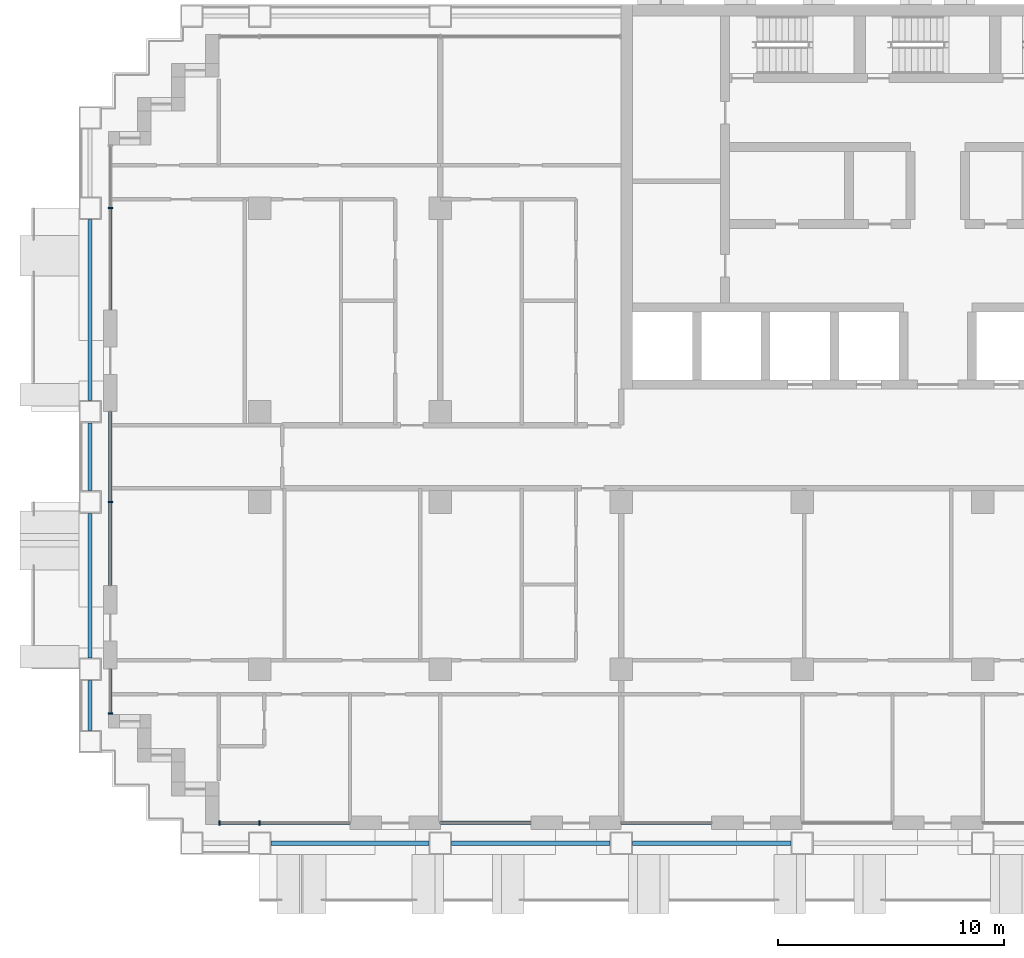
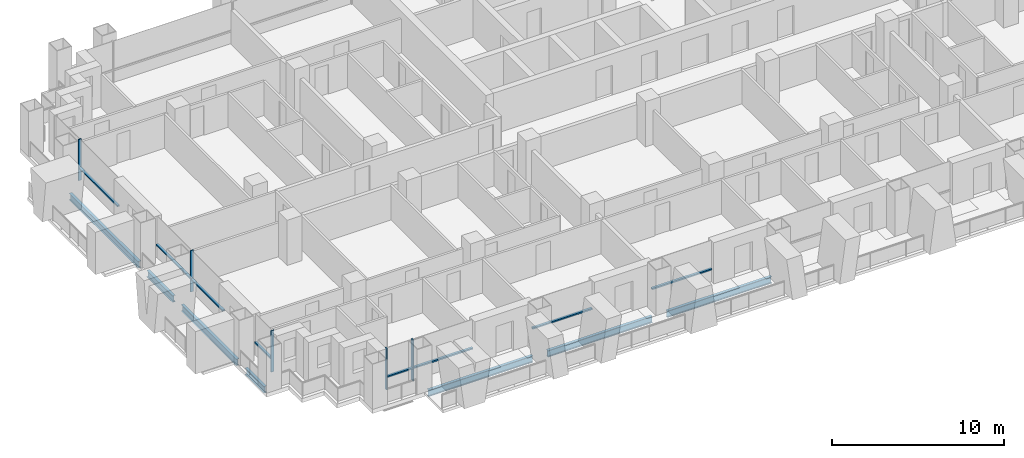
# One storey, part 2 of 18: 13 members, 7 beams, 6 elements without a shape of their own.
"""IFC4 building model written with IfcOpenShell, lengths in metres."""

import ifcopenshell
import ifcopenshell.guid

model = None  # the IFC model being written
_history = None  # IfcOwnerHistory: only IFC2X3 demands one
_inside = {}  # id of a spatial element -> (the spatial element, [elements in it])
_under = {}  # id of a project, library or spatial element -> (it, [spatial elements below it])
_declared = {}  # id of a project -> (the project, [libraries it declares])
_typed = {}  # id of a type object -> (the type object, [elements of that type])
_made_of = {}  # id of a material, layer set ... -> (it, [elements and type objects made of it])


def new_model(schema):
    """Start an empty IFC model of exactly this schema.

    Asked for "IFC4X3", IfcOpenShell would pick the latest addendum, in which some entities
    have other attributes; the version numbers below select the first issue.
    IFC2X3 requires an IfcOwnerHistory on every rooted entity: one is made here for all.
    """
    global model, _history
    if schema == "IFC4X3":
        model = ifcopenshell.file(schema_version=(4, 3, 0, 0))
    else:
        model = ifcopenshell.file(schema=schema)
    _inside.clear()
    _under.clear()
    _declared.clear()
    _typed.clear()
    _made_of.clear()
    _history = None
    if model.schema == "IFC2X3":
        org = make("IfcOrganization", Name="unknown")
        user = make(
            "IfcPersonAndOrganization",
            ThePerson=make("IfcPerson", FamilyName="unknown"),
            TheOrganization=org,
        )
        app = make(
            "IfcApplication",
            ApplicationDeveloper=org,
            Version="unknown",
            ApplicationFullName="unknown",
            ApplicationIdentifier="unknown",
        )
        _history = make(
            "IfcOwnerHistory",
            OwningUser=user,
            OwningApplication=app,
            ChangeAction="ADDED",
            CreationDate=0,
        )
    return model


def make(cls, **values):
    """One entity of the class cls with the attributes given. An attribute that is None is left unset."""
    return model.create_entity(
        cls, **{name: value for name, value in values.items() if value is not None}
    )


def rooted(cls, **values):
    """An entity with a GlobalId (a new one), such as an element, a storey or a relation."""
    return make(cls, GlobalId=ifcopenshell.guid.new(), OwnerHistory=_history, **values)


def si_unit(unit_type, name, prefix=None):
    """IfcSIUnit, for example si_unit("LENGTHUNIT", "METRE", prefix="MILLI")."""
    return make("IfcSIUnit", UnitType=unit_type, Prefix=prefix, Name=name)


def assignment(units):
    """IfcUnitAssignment: the units of a project."""
    return None if units is None else make("IfcUnitAssignment", Units=units)


def point(xyz):
    """IfcCartesianPoint."""
    return None if xyz is None else make("IfcCartesianPoint", Coordinates=xyz)


def direction(xyz):
    """IfcDirection."""
    return None if xyz is None else make("IfcDirection", DirectionRatios=xyz)


def frame(location, z_axis=None, x_axis=None):
    """IfcAxis2Placement3D, a coordinate frame: its origin and axes. An axis left out is left unset."""
    return make(
        "IfcAxis2Placement3D",
        Location=point(location),
        Axis=direction(z_axis),
        RefDirection=direction(x_axis),
    )


def frame_2d(location, x_axis=None):
    """IfcAxis2Placement2D, a coordinate frame in the plane: its origin and x axis."""
    return make(
        "IfcAxis2Placement2D", Location=point(location), RefDirection=direction(x_axis)
    )


def origin():
    """The frame at (0, 0, 0) with its axes left unset."""
    return frame((0.0, 0.0, 0.0))


def origin_2d():
    """The frame at (0, 0) in the plane with its x axis left unset."""
    return frame_2d((0.0, 0.0))


def place(relative_to, where):
    """IfcLocalPlacement: puts the frame where relative to a parent placement (None: the world)."""
    return make(
        "IfcLocalPlacement", PlacementRelTo=relative_to, RelativePlacement=where
    )


def context(
    kind, dimensions, precision=None, world=None, true_north=None, identifier=None
):
    """IfcGeometricRepresentationContext, for example the 3D "Model" context."""
    return make(
        "IfcGeometricRepresentationContext",
        ContextIdentifier=identifier,
        ContextType=kind,
        CoordinateSpaceDimension=dimensions,
        Precision=precision,
        WorldCoordinateSystem=world,
        TrueNorth=true_north,
    )


def subcontext(parent, identifier, kind, view, scale=None):
    """IfcGeometricRepresentationSubContext, for example "Body" below "Model"."""
    return make(
        "IfcGeometricRepresentationSubContext",
        ContextIdentifier=identifier,
        ContextType=kind,
        ParentContext=parent,
        TargetScale=scale,
        TargetView=view,
    )


def project(units=None, contexts=None):
    """IfcProject with its units and contexts."""
    return rooted(
        "IfcProject",
        Name="project",
        RepresentationContexts=contexts,
        UnitsInContext=assignment(units),
    )


def spatial(cls, under=None, at=None, **own):
    """A site, building, storey or space (cls), placed at a placement, below another one or the project."""
    s = rooted(cls, ObjectPlacement=at, **own)
    if under is not None:
        _under.setdefault(under.id(), (under, []))[1].append(s)
    return s


def profile(cls, at=None, kind="AREA", **sizes):
    """A parametric profile (cls). Its sizes go by their IFC names, for example OverallWidth=200.0."""
    return make(cls, ProfileType=kind, Position=at, **sizes)


def rectangle(**sizes):
    """IfcRectangleProfileDef."""
    return profile("IfcRectangleProfileDef", **sizes)


def i_section(**sizes):
    """IfcIShapeProfileDef."""
    return profile("IfcIShapeProfileDef", **sizes)


def extrude(swept, where, along, depth):
    """IfcExtrudedAreaSolid: the profile swept, set in the frame where, extruded along a direction by depth."""
    return make(
        "IfcExtrudedAreaSolid",
        SweptArea=swept,
        Position=where,
        ExtrudedDirection=direction(along),
        Depth=depth,
    )


def shape(context_of_items, identifier, shape_type, items):
    """IfcShapeRepresentation: the items that make up one representation, for example the "Body"."""
    return make(
        "IfcShapeRepresentation",
        ContextOfItems=context_of_items,
        RepresentationIdentifier=identifier,
        RepresentationType=shape_type,
        Items=items,
    )


def material(Name=None, Category=None):
    """IfcMaterial."""
    return make("IfcMaterial", Name=Name, Category=Category)


def material_profile(
    of_material, cross_section, Name=None, Category=None, Priority=None
):
    """IfcMaterialProfile: a cross section and its material."""
    return make(
        "IfcMaterialProfile",
        Name=Name,
        Material=of_material,
        Profile=cross_section,
        Priority=Priority,
        Category=Category,
    )


def profile_set(profiles, Name=None, composite=None):
    """IfcMaterialProfileSet."""
    return make(
        "IfcMaterialProfileSet",
        Name=Name,
        MaterialProfiles=profiles,
        CompositeProfile=composite,
    )


def made_of(thing, what):
    """Note that an element or type object is made of a material, layer set ...; save() writes the relation."""
    if what is not None:
        _made_of.setdefault(what.id(), (what, []))[1].append(thing)
    return thing


def type_object(cls, material=None, **own):
    """A type object (cls), such as IfcWallType, which elements share."""
    return made_of(rooted(cls, **own), material)


def element(
    cls,
    number,
    at=None,
    inside=None,
    cuts=None,
    type_object=None,
    material=None,
    context=None,
    identifier="Body",
    shape_type=None,
    held_by="IfcProductDefinitionShape",
    body=None,
    shapes=None,
    **own,
):
    """One element of the class cls, such as IfcWall. Its Tag is "e" and its number.

    at: its placement. inside: the storey or other place that contains it. cuts: it is an
    opening in that element (IfcRelVoidsElement). A single representation is given by context,
    identifier, shape_type and body (its items); several are given by shapes. held_by: the class
    of the entity that holds the representations. save() writes the other relations.
    """
    e = rooted(cls, Tag="e%d" % number, ObjectPlacement=at, **own)
    if body is not None:
        shapes = [shape(context, identifier, shape_type, body)]
    if shapes is not None:
        e.Representation = make(held_by, Representations=shapes)
    if inside is not None:
        _inside.setdefault(inside.id(), (inside, []))[1].append(e)
    if cuts is not None:
        rooted(
            "IfcRelVoidsElement", RelatingBuildingElement=cuts, RelatedOpeningElement=e
        )
    if type_object is not None:
        _typed.setdefault(type_object.id(), (type_object, []))[1].append(e)
    return made_of(e, material)


def aggregate(whole, parts):
    """IfcRelAggregates: a whole, such as a stair, and the parts it consists of."""
    return rooted("IfcRelAggregates", RelatingObject=whole, RelatedObjects=parts)


def save(model, path):
    """Write the relations noted so far, then the file.

    IfcRelAggregates (storeys below a building ...), IfcRelContainedInSpatialStructure (elements
    in a storey), IfcRelDefinesByType, IfcRelAssociatesMaterial and IfcRelDeclares: one each for
    every whole, place, type object, material and project.
    """
    for whole, parts in _under.values():
        aggregate(whole, parts)
    for where, things in _inside.values():
        rooted(
            "IfcRelContainedInSpatialStructure",
            RelatedElements=things,
            RelatingStructure=where,
        )
    for kind, things in _typed.values():
        rooted("IfcRelDefinesByType", RelatedObjects=things, RelatingType=kind)
    for what, things in _made_of.values():
        rooted("IfcRelAssociatesMaterial", RelatedObjects=things, RelatingMaterial=what)
    for by, libraries in _declared.values():
        rooted("IfcRelDeclares", RelatingContext=by, RelatedDefinitions=libraries)
    model.write(path)


model = new_model("IFC4")

# Units and contexts
model_context = context("Model", 3, precision=1e-05, world=origin(), true_north=direction((0.0, 1.0)))
body_context = subcontext(model_context, "Body", "Model", "MODEL_VIEW")
ifc_project = project(units=[si_unit("LENGTHUNIT", "METRE"), si_unit("AREAUNIT", "SQUARE_METRE"), si_unit("VOLUMEUNIT", "CUBIC_METRE"), si_unit("PLANEANGLEUNIT", "RADIAN"), si_unit("MASSUNIT", "GRAM", prefix="KILO")], contexts=[model_context])

# Site, building, storey
site_placement = place(None, origin())
site = spatial("IfcSite", under=ifc_project, at=site_placement, CompositionType="ELEMENT")
building_placement = place(site_placement, origin())
building = spatial("IfcBuilding", under=site, at=building_placement, Name="Vidyagriha Tower", CompositionType="ELEMENT")
storey_placement = place(building_placement, frame((0.0, 0.0, 54.39990234375)))
storey = spatial("IfcBuildingStorey", under=building, at=storey_placement, Name="L14", CompositionType="ELEMENT", Elevation=54.39990234375)

# Beams
ifc_material_1 = material(Name="Steel ASTM A992 Grade 50", Category="steel")
ifc_material_profile_1 = material_profile(ifc_material_1, i_section(OverallWidth=0.19189453125, OverallDepth=0.46240234375, WebThickness=0.010498046875, FlangeThickness=0.017578125, at=origin_2d()), Name="W18X60")
ifc_profile_set_1 = profile_set([ifc_material_profile_1], Name="Steel ASTM A992 Grade 50")
beam_type = type_object("IfcBeamType", Name="Edge beam W18X60", PredefinedType="SPANDREL", material=ifc_profile_set_1)
for number, where, z_axis, x_axis, name in (
    (1, (-29.5, -17.10009765625, -0.510986328125), (1.0, 0.0, 0.0), (0.0, 1.0, 0.0), "st-beam-L14-S02"),
    (2, (-21.5, -17.10009765625, -0.510986328125), (1.0, 0.0, 0.0), (0.0, 1.0, 0.0), "st-beam-L14-S03"),
    (3, (-13.5, -17.10009765625, -0.510986328125), (1.0, 0.0, 0.0), (0.0, 1.0, 0.0), "st-beam-L14-S04"),
):
    element("IfcBeam", number, at=place(storey_placement, frame(where, z_axis=z_axis, x_axis=x_axis)), inside=storey, type_object=beam_type, Name=name, PredefinedType="SPANDREL", context=body_context, shape_type="SweptSolid", body=[
        extrude(i_section(OverallWidth=0.19189453125, OverallDepth=0.46240234375, WebThickness=0.010498046875, FlangeThickness=0.017578125, at=origin_2d()), origin(), (0.0, 0.0, 1.0), 7.0),
    ])
beam_1_placement = place(storey_placement, frame((-37.5, -12.10009765625, -0.510986328125), z_axis=(0.0, 1.0, 0.0), x_axis=(-1.0, 0.0, 0.0)))
element("IfcBeam", 4, at=beam_1_placement, inside=storey, type_object=beam_type, Name="st-beam-L14-W10", PredefinedType="SPANDREL", context=body_context, shape_type="SweptSolid", body=[
    extrude(i_section(OverallWidth=0.19189453125, OverallDepth=0.46240234375, WebThickness=0.010498046875, FlangeThickness=0.017578125, at=origin_2d()), origin(), (0.0, 0.0, 1.0), 2.2001953125),
])
beam_2_placement = place(storey_placement, frame((-37.5, -8.89990234375, -0.510986328125), z_axis=(0.0, 1.0, 0.0), x_axis=(-1.0, 0.0, 0.0)))
element("IfcBeam", 5, at=beam_2_placement, inside=storey, type_object=beam_type, Name="st-beam-L14-W11", PredefinedType="SPANDREL", context=body_context, shape_type="SweptSolid", body=[
    extrude(i_section(OverallWidth=0.19189453125, OverallDepth=0.46240234375, WebThickness=0.010498046875, FlangeThickness=0.017578125, at=origin_2d()), origin(), (0.0, 0.0, 1.0), 6.39990234375),
])
beam_3_placement = place(storey_placement, frame((-37.5, -1.5, -0.510986328125), z_axis=(0.0, 1.0, 0.0), x_axis=(-1.0, 0.0, 0.0)))
element("IfcBeam", 6, at=beam_3_placement, inside=storey, type_object=beam_type, Name="st-beam-L14-W12", PredefinedType="SPANDREL", context=body_context, shape_type="SweptSolid", body=[
    extrude(i_section(OverallWidth=0.19189453125, OverallDepth=0.46240234375, WebThickness=0.010498046875, FlangeThickness=0.017578125, at=origin_2d()), origin(), (0.0, 0.0, 1.0), 3.0),
])
beam_4_placement = place(storey_placement, frame((-37.5, 2.5, -0.510986328125), z_axis=(0.0, 1.0, 0.0), x_axis=(-1.0, 0.0, 0.0)))
element("IfcBeam", 7, at=beam_4_placement, inside=storey, type_object=beam_type, Name="st-beam-L14-W13", PredefinedType="SPANDREL", context=body_context, shape_type="SweptSolid", body=[
    extrude(i_section(OverallWidth=0.19189453125, OverallDepth=0.46240234375, WebThickness=0.010498046875, FlangeThickness=0.017578125, at=origin_2d()), origin(), (0.0, 0.0, 1.0), 8.0),
])

# Curtain wall, member
ifc_material_2 = material(Name="Aluminium and glass curtain wall", Category="aluminium")
curtain_wall_type = type_object("IfcCurtainWallType", Name="Dwelling skin unitised curtain wall", PredefinedType="USERDEFINED", material=ifc_material_2)
curtain_wall_1_placement = place(storey_placement, origin())
curtain_wall_1 = element("IfcCurtainWall", 8, at=curtain_wall_1_placement, inside=storey, type_object=curtain_wall_type, Name="CW1 dwelling skin", ObjectType="UNITISED", PredefinedType="USERDEFINED")
ifc_material_3 = material(Name="Aluminium black anodised", Category="aluminium")
ifc_material_profile_2 = material_profile(ifc_material_3, rectangle(XDim=0.199951171875, YDim=0.070068359375, at=origin_2d()), Name="Mullion 70x200 black aluminium")
ifc_profile_set_2 = profile_set([ifc_material_profile_2], Name="Aluminium black anodised")
member_type_1 = type_object("IfcMemberType", Name="Mullion 70x200 black aluminium", PredefinedType="MULLION", material=ifc_profile_set_2)
member_1_placement = place(storey_placement, frame((-36.60009765625, 11.0, 0.0)))
member_1 = element("IfcMember", 9, at=member_1_placement, type_object=member_type_1, Name="CW1 mullion 2", PredefinedType="MULLION", context=body_context, shape_type="SweptSolid", body=[
    extrude(rectangle(XDim=0.199951171875, YDim=0.070068359375, at=origin_2d()), origin(), (0.0, 0.0, 1.0), 2.920166015625),
])

curtain_wall_2_placement = place(storey_placement, origin())
curtain_wall_2 = element("IfcCurtainWall", 10, at=curtain_wall_2_placement, inside=storey, type_object=curtain_wall_type, Name="CW1 dwelling skin", ObjectType="UNITISED", PredefinedType="USERDEFINED")
member_2_placement = place(storey_placement, frame((-36.60009765625, -2.0, 0.0)))
member_2 = element("IfcMember", 11, at=member_2_placement, type_object=member_type_1, Name="CW1 mullion 2", PredefinedType="MULLION", context=body_context, shape_type="SweptSolid", body=[
    extrude(rectangle(XDim=0.199951171875, YDim=0.070068359375, at=origin_2d()), origin(), (0.0, 0.0, 1.0), 2.920166015625),
])

curtain_wall_3_placement = place(storey_placement, origin())
curtain_wall_3 = element("IfcCurtainWall", 12, at=curtain_wall_3_placement, inside=storey, type_object=curtain_wall_type, Name="CW1 dwelling skin", ObjectType="UNITISED", PredefinedType="USERDEFINED")
member_3_placement = place(storey_placement, frame((-36.60009765625, -11.364990234375, 0.0)))
member_3 = element("IfcMember", 13, at=member_3_placement, type_object=member_type_1, Name="CW1 mullion 2", PredefinedType="MULLION", context=body_context, shape_type="SweptSolid", body=[
    extrude(rectangle(XDim=0.199951171875, YDim=0.070068359375, at=origin_2d()), origin(), (0.0, 0.0, 1.0), 2.920166015625),
])

# Curtain wall, members
curtain_wall_4_placement = place(storey_placement, origin())
curtain_wall_4 = element("IfcCurtainWall", 14, at=curtain_wall_4_placement, inside=storey, type_object=curtain_wall_type, Name="CW1 dwelling skin", ObjectType="UNITISED", PredefinedType="USERDEFINED")
member_4_placement = place(storey_placement, frame((-31.764892578125, -16.199951171875, 0.0), z_axis=(0.0, 0.0, 1.0), x_axis=(0.0, 1.0, 0.0)))
member_4 = element("IfcMember", 15, at=member_4_placement, type_object=member_type_1, Name="CW1 mullion 1", PredefinedType="MULLION", context=body_context, shape_type="SweptSolid", body=[
    extrude(rectangle(XDim=0.199951171875, YDim=0.070068359375, at=origin_2d()), origin(), (0.0, 0.0, 1.0), 2.920166015625),
])
member_5_placement = place(storey_placement, frame((-30.0, -16.199951171875, 0.0), z_axis=(0.0, 0.0, 1.0), x_axis=(0.0, 1.0, 0.0)))
member_5 = element("IfcMember", 16, at=member_5_placement, type_object=member_type_1, Name="CW1 mullion 2", PredefinedType="MULLION", context=body_context, shape_type="SweptSolid", body=[
    extrude(rectangle(XDim=0.199951171875, YDim=0.070068359375, at=origin_2d()), origin(), (0.0, 0.0, 1.0), 2.920166015625),
])

# Member
ifc_material_4 = material(Name="Aluminium black anodised", Category="aluminium")
ifc_material_profile_3 = material_profile(ifc_material_4, rectangle(XDim=0.159912109375, YDim=0.10009765625, at=origin_2d()), Name="Transom 100x160 black aluminium")
ifc_profile_set_3 = profile_set([ifc_material_profile_3], Name="Aluminium black anodised")
member_type_2 = type_object("IfcMemberType", Name="Transom 100x160 black aluminium", PredefinedType="USERDEFINED", material=ifc_profile_set_3)
member_6_placement = place(storey_placement, frame((-36.60009765625, 10.965087890625, 0.900146484375), z_axis=(0.0, -1.0, 0.0), x_axis=(1.0, 0.0, 0.0)))
member_6 = element("IfcMember", 17, at=member_6_placement, type_object=member_type_2, Name="CW1 transom 2.1", ObjectType="TRANSOM", PredefinedType="USERDEFINED", context=body_context, shape_type="SweptSolid", body=[
    extrude(rectangle(XDim=0.159912109375, YDim=0.10009765625, at=origin_2d()), origin(), (0.0, 0.0, 1.0), 4.465087890625),
])

aggregate(curtain_wall_1, [member_1, member_6])

member_7_placement = place(storey_placement, frame((-36.60009765625, 2.0, 0.900146484375), z_axis=(0.0, -1.0, 0.0), x_axis=(1.0, 0.0, 0.0)))
member_7 = element("IfcMember", 18, at=member_7_placement, type_object=member_type_2, Name="CW1 transom 1.1", ObjectType="TRANSOM", PredefinedType="USERDEFINED", context=body_context, shape_type="SweptSolid", body=[
    extrude(rectangle(XDim=0.159912109375, YDim=0.10009765625, at=origin_2d()), origin(), (0.0, 0.0, 1.0), 3.965087890625),
])

member_8_placement = place(storey_placement, frame((-36.60009765625, -2.034912109375, 0.900146484375), z_axis=(0.0, -1.0, 0.0), x_axis=(1.0, 0.0, 0.0)))
member_8 = element("IfcMember", 19, at=member_8_placement, type_object=member_type_2, Name="CW1 transom 2.1", ObjectType="TRANSOM", PredefinedType="USERDEFINED", context=body_context, shape_type="SweptSolid", body=[
    extrude(rectangle(XDim=0.159912109375, YDim=0.10009765625, at=origin_2d()), origin(), (0.0, 0.0, 1.0), 3.6650390625),
])

aggregate(curtain_wall_2, [member_2, member_7, member_8])

member_9_placement = place(storey_placement, frame((-36.60009765625, -9.39990234375, 0.900146484375), z_axis=(0.0, -1.0, 0.0), x_axis=(1.0, 0.0, 0.0)))
member_9 = element("IfcMember", 20, at=member_9_placement, type_object=member_type_2, Name="CW1 transom 1.1", ObjectType="TRANSOM", PredefinedType="USERDEFINED", context=body_context, shape_type="SweptSolid", body=[
    extrude(rectangle(XDim=0.159912109375, YDim=0.10009765625, at=origin_2d()), origin(), (0.0, 0.0, 1.0), 1.93017578125),
])

aggregate(curtain_wall_3, [member_3, member_9])

member_10_placement = place(storey_placement, frame((-31.72998046875, -16.199951171875, 0.900146484375), z_axis=(1.0, 0.0, 0.0), x_axis=(0.0, 1.0, 0.0)))
member_10 = element("IfcMember", 21, at=member_10_placement, type_object=member_type_2, Name="CW1 transom 1.1", ObjectType="TRANSOM", PredefinedType="USERDEFINED", context=body_context, shape_type="SweptSolid", body=[
    extrude(rectangle(XDim=0.159912109375, YDim=0.10009765625, at=origin_2d()), origin(), (0.0, 0.0, 1.0), 1.695068359375),
])

member_11_placement = place(storey_placement, frame((-29.965087890625, -16.199951171875, 0.900146484375), z_axis=(1.0, 0.0, 0.0), x_axis=(0.0, 1.0, 0.0)))
member_11 = element("IfcMember", 22, at=member_11_placement, type_object=member_type_2, Name="CW1 transom 2.1", ObjectType="TRANSOM", PredefinedType="USERDEFINED", context=body_context, shape_type="SweptSolid", body=[
    extrude(rectangle(XDim=0.159912109375, YDim=0.10009765625, at=origin_2d()), origin(), (0.0, 0.0, 1.0), 3.965087890625),
])

aggregate(curtain_wall_4, [member_4, member_5, member_10, member_11])

# Curtain wall, member
curtain_wall_5_placement = place(storey_placement, origin())
curtain_wall_5 = element("IfcCurtainWall", 23, at=curtain_wall_5_placement, inside=storey, type_object=curtain_wall_type, Name="CW1 dwelling skin", ObjectType="UNITISED", PredefinedType="USERDEFINED")
member_12_placement = place(storey_placement, frame((-22.0, -16.199951171875, 0.900146484375), z_axis=(1.0, 0.0, 0.0), x_axis=(0.0, 1.0, 0.0)))
member_12 = element("IfcMember", 24, at=member_12_placement, type_object=member_type_2, Name="CW1 transom 1.1", ObjectType="TRANSOM", PredefinedType="USERDEFINED", context=body_context, shape_type="SweptSolid", body=[
    extrude(rectangle(XDim=0.159912109375, YDim=0.10009765625, at=origin_2d()), origin(), (0.0, 0.0, 1.0), 4.0),
])
aggregate(curtain_wall_5, [member_12])

curtain_wall_6_placement = place(storey_placement, origin())
curtain_wall_6 = element("IfcCurtainWall", 25, at=curtain_wall_6_placement, inside=storey, type_object=curtain_wall_type, Name="CW1 dwelling skin", ObjectType="UNITISED", PredefinedType="USERDEFINED")
member_13_placement = place(storey_placement, frame((-14.0, -16.199951171875, 0.900146484375), z_axis=(1.0, 0.0, 0.0), x_axis=(0.0, 1.0, 0.0)))
member_13 = element("IfcMember", 26, at=member_13_placement, type_object=member_type_2, Name="CW1 transom 1.1", ObjectType="TRANSOM", PredefinedType="USERDEFINED", context=body_context, shape_type="SweptSolid", body=[
    extrude(rectangle(XDim=0.159912109375, YDim=0.10009765625, at=origin_2d()), origin(), (0.0, 0.0, 1.0), 4.0),
])
aggregate(curtain_wall_6, [member_13])

save(model, "model.ifc")
